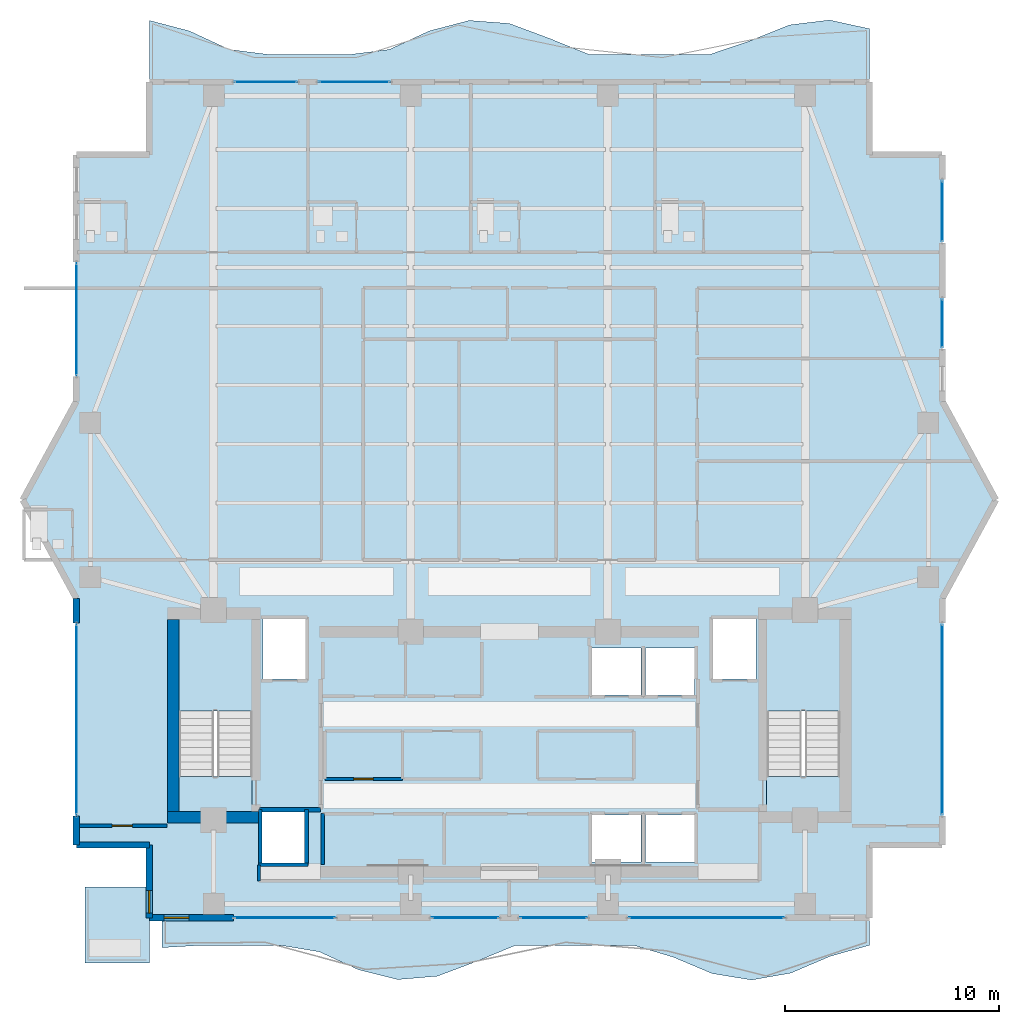
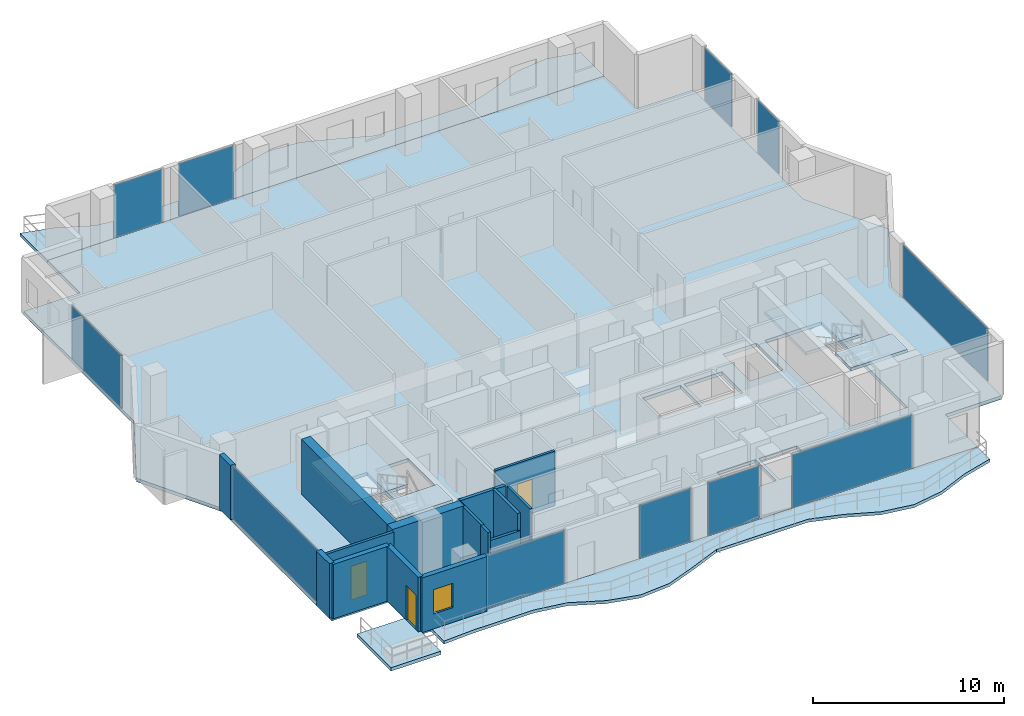
# One storey, part 17 of 24: 15 walls, 11 plates, 8 slabs, 3 doors, 1 window, 4 openings, 13 elements without a shape of their own.
"""IFC4 building model written with IfcOpenShell, lengths in metres."""

import ifcopenshell
import ifcopenshell.guid

model = None  # the IFC model being written
_history = None  # IfcOwnerHistory: only IFC2X3 demands one
_inside = {}  # id of a spatial element -> (the spatial element, [elements in it])
_under = {}  # id of a project, library or spatial element -> (it, [spatial elements below it])
_declared = {}  # id of a project -> (the project, [libraries it declares])
_typed = {}  # id of a type object -> (the type object, [elements of that type])
_made_of = {}  # id of a material, layer set ... -> (it, [elements and type objects made of it])


def new_model(schema):
    """Start an empty IFC model of exactly this schema.

    Asked for "IFC4X3", IfcOpenShell would pick the latest addendum, in which some entities
    have other attributes; the version numbers below select the first issue.
    IFC2X3 requires an IfcOwnerHistory on every rooted entity: one is made here for all.
    """
    global model, _history
    if schema == "IFC4X3":
        model = ifcopenshell.file(schema_version=(4, 3, 0, 0))
    else:
        model = ifcopenshell.file(schema=schema)
    _inside.clear()
    _under.clear()
    _declared.clear()
    _typed.clear()
    _made_of.clear()
    _history = None
    if model.schema == "IFC2X3":
        org = make("IfcOrganization", Name="unknown")
        user = make(
            "IfcPersonAndOrganization",
            ThePerson=make("IfcPerson", FamilyName="unknown"),
            TheOrganization=org,
        )
        app = make(
            "IfcApplication",
            ApplicationDeveloper=org,
            Version="unknown",
            ApplicationFullName="unknown",
            ApplicationIdentifier="unknown",
        )
        _history = make(
            "IfcOwnerHistory",
            OwningUser=user,
            OwningApplication=app,
            ChangeAction="ADDED",
            CreationDate=0,
        )
    return model


def make(cls, **values):
    """One entity of the class cls with the attributes given. An attribute that is None is left unset."""
    return model.create_entity(
        cls, **{name: value for name, value in values.items() if value is not None}
    )


def rooted(cls, **values):
    """An entity with a GlobalId (a new one), such as an element, a storey or a relation."""
    return make(cls, GlobalId=ifcopenshell.guid.new(), OwnerHistory=_history, **values)


def si_unit(unit_type, name, prefix=None):
    """IfcSIUnit, for example si_unit("LENGTHUNIT", "METRE", prefix="MILLI")."""
    return make("IfcSIUnit", UnitType=unit_type, Prefix=prefix, Name=name)


def assignment(units):
    """IfcUnitAssignment: the units of a project."""
    return None if units is None else make("IfcUnitAssignment", Units=units)


def point(xyz):
    """IfcCartesianPoint."""
    return None if xyz is None else make("IfcCartesianPoint", Coordinates=xyz)


def direction(xyz):
    """IfcDirection."""
    return None if xyz is None else make("IfcDirection", DirectionRatios=xyz)


def frame(location, z_axis=None, x_axis=None):
    """IfcAxis2Placement3D, a coordinate frame: its origin and axes. An axis left out is left unset."""
    return make(
        "IfcAxis2Placement3D",
        Location=point(location),
        Axis=direction(z_axis),
        RefDirection=direction(x_axis),
    )


def frame_2d(location, x_axis=None):
    """IfcAxis2Placement2D, a coordinate frame in the plane: its origin and x axis."""
    return make(
        "IfcAxis2Placement2D", Location=point(location), RefDirection=direction(x_axis)
    )


def origin():
    """The frame at (0, 0, 0) with its axes left unset."""
    return frame((0.0, 0.0, 0.0))


def origin_2d():
    """The frame at (0, 0) in the plane with its x axis left unset."""
    return frame_2d((0.0, 0.0))


def place(relative_to, where):
    """IfcLocalPlacement: puts the frame where relative to a parent placement (None: the world)."""
    return make(
        "IfcLocalPlacement", PlacementRelTo=relative_to, RelativePlacement=where
    )


def context(
    kind, dimensions, precision=None, world=None, true_north=None, identifier=None
):
    """IfcGeometricRepresentationContext, for example the 3D "Model" context."""
    return make(
        "IfcGeometricRepresentationContext",
        ContextIdentifier=identifier,
        ContextType=kind,
        CoordinateSpaceDimension=dimensions,
        Precision=precision,
        WorldCoordinateSystem=world,
        TrueNorth=true_north,
    )


def subcontext(parent, identifier, kind, view, scale=None):
    """IfcGeometricRepresentationSubContext, for example "Body" below "Model"."""
    return make(
        "IfcGeometricRepresentationSubContext",
        ContextIdentifier=identifier,
        ContextType=kind,
        ParentContext=parent,
        TargetScale=scale,
        TargetView=view,
    )


def project(units=None, contexts=None):
    """IfcProject with its units and contexts."""
    return rooted(
        "IfcProject",
        Name="project",
        RepresentationContexts=contexts,
        UnitsInContext=assignment(units),
    )


def spatial(cls, under=None, at=None, **own):
    """A site, building, storey or space (cls), placed at a placement, below another one or the project."""
    s = rooted(cls, ObjectPlacement=at, **own)
    if under is not None:
        _under.setdefault(under.id(), (under, []))[1].append(s)
    return s


def polyline(points):
    """IfcPolyline through the points."""
    return make("IfcPolyline", Points=[point(p) for p in points])


def profile(cls, at=None, kind="AREA", **sizes):
    """A parametric profile (cls). Its sizes go by their IFC names, for example OverallWidth=200.0."""
    return make(cls, ProfileType=kind, Position=at, **sizes)


def rectangle(**sizes):
    """IfcRectangleProfileDef."""
    return profile("IfcRectangleProfileDef", **sizes)


def outline(outer, holes=None, kind="AREA"):
    """IfcArbitraryClosedProfileDef: a profile drawn as a closed curve; with holes, ...WithVoids."""
    if holes is None:
        return make("IfcArbitraryClosedProfileDef", ProfileType=kind, OuterCurve=outer)
    return make(
        "IfcArbitraryProfileDefWithVoids",
        ProfileType=kind,
        OuterCurve=outer,
        InnerCurves=holes,
    )


def extrude(swept, where, along, depth):
    """IfcExtrudedAreaSolid: the profile swept, set in the frame where, extruded along a direction by depth."""
    return make(
        "IfcExtrudedAreaSolid",
        SweptArea=swept,
        Position=where,
        ExtrudedDirection=direction(along),
        Depth=depth,
    )


def shape(context_of_items, identifier, shape_type, items):
    """IfcShapeRepresentation: the items that make up one representation, for example the "Body"."""
    return make(
        "IfcShapeRepresentation",
        ContextOfItems=context_of_items,
        RepresentationIdentifier=identifier,
        RepresentationType=shape_type,
        Items=items,
    )


def material(Name=None, Category=None):
    """IfcMaterial."""
    return make("IfcMaterial", Name=Name, Category=Category)


def layer(
    of_material, thickness, ventilated=None, Name=None, Category=None, Priority=None
):
    """IfcMaterialLayer: one layer of a wall or slab, of a material (None: an air gap)."""
    return make(
        "IfcMaterialLayer",
        Material=of_material,
        LayerThickness=thickness,
        IsVentilated=ventilated,
        Name=Name,
        Category=Category,
        Priority=Priority,
    )


def layer_set(layers, Name=None):
    """IfcMaterialLayerSet."""
    return make("IfcMaterialLayerSet", MaterialLayers=layers, LayerSetName=Name)


def made_of(thing, what):
    """Note that an element or type object is made of a material, layer set ...; save() writes the relation."""
    if what is not None:
        _made_of.setdefault(what.id(), (what, []))[1].append(thing)
    return thing


def type_object(cls, material=None, **own):
    """A type object (cls), such as IfcWallType, which elements share."""
    return made_of(rooted(cls, **own), material)


def element(
    cls,
    number,
    at=None,
    inside=None,
    cuts=None,
    type_object=None,
    material=None,
    context=None,
    identifier="Body",
    shape_type=None,
    held_by="IfcProductDefinitionShape",
    body=None,
    shapes=None,
    **own,
):
    """One element of the class cls, such as IfcWall. Its Tag is "e" and its number.

    at: its placement. inside: the storey or other place that contains it. cuts: it is an
    opening in that element (IfcRelVoidsElement). A single representation is given by context,
    identifier, shape_type and body (its items); several are given by shapes. held_by: the class
    of the entity that holds the representations. save() writes the other relations.
    """
    e = rooted(cls, Tag="e%d" % number, ObjectPlacement=at, **own)
    if body is not None:
        shapes = [shape(context, identifier, shape_type, body)]
    if shapes is not None:
        e.Representation = make(held_by, Representations=shapes)
    if inside is not None:
        _inside.setdefault(inside.id(), (inside, []))[1].append(e)
    if cuts is not None:
        rooted(
            "IfcRelVoidsElement", RelatingBuildingElement=cuts, RelatedOpeningElement=e
        )
    if type_object is not None:
        _typed.setdefault(type_object.id(), (type_object, []))[1].append(e)
    return made_of(e, material)


def fill(opening, filler):
    """IfcRelFillsElement: the door or window that sits in an opening."""
    return rooted(
        "IfcRelFillsElement",
        RelatingOpeningElement=opening,
        RelatedBuildingElement=filler,
    )


def aggregate(whole, parts):
    """IfcRelAggregates: a whole, such as a stair, and the parts it consists of."""
    return rooted("IfcRelAggregates", RelatingObject=whole, RelatedObjects=parts)


def save(model, path):
    """Write the relations noted so far, then the file.

    IfcRelAggregates (storeys below a building ...), IfcRelContainedInSpatialStructure (elements
    in a storey), IfcRelDefinesByType, IfcRelAssociatesMaterial and IfcRelDeclares: one each for
    every whole, place, type object, material and project.
    """
    for whole, parts in _under.values():
        aggregate(whole, parts)
    for where, things in _inside.values():
        rooted(
            "IfcRelContainedInSpatialStructure",
            RelatedElements=things,
            RelatingStructure=where,
        )
    for kind, things in _typed.values():
        rooted("IfcRelDefinesByType", RelatedObjects=things, RelatingType=kind)
    for what, things in _made_of.values():
        rooted("IfcRelAssociatesMaterial", RelatedObjects=things, RelatingMaterial=what)
    for by, libraries in _declared.values():
        rooted("IfcRelDeclares", RelatingContext=by, RelatedDefinitions=libraries)
    model.write(path)


model = new_model("IFC4")

# Units and contexts
model_context = context("Model", 3, precision=1e-05, world=origin(), true_north=direction((0.0, 1.0)))
body_context = subcontext(model_context, "Body", "Model", "MODEL_VIEW")
ifc_project = project(units=[si_unit("LENGTHUNIT", "METRE"), si_unit("AREAUNIT", "SQUARE_METRE"), si_unit("VOLUMEUNIT", "CUBIC_METRE"), si_unit("PLANEANGLEUNIT", "RADIAN"), si_unit("MASSUNIT", "GRAM", prefix="KILO")], contexts=[model_context])

# Site, building, storey
site_placement = place(None, origin())
site = spatial("IfcSite", under=ifc_project, at=site_placement, CompositionType="ELEMENT")
building_placement = place(site_placement, origin())
building = spatial("IfcBuilding", under=site, at=building_placement, Name="Zuhayl Quay Hotel", CompositionType="ELEMENT")
storey_placement = place(building_placement, frame((0.0, 0.0, 280.35009765625)))
storey = spatial("IfcBuildingStorey", under=building, at=storey_placement, Name="L71", CompositionType="ELEMENT", Elevation=280.35009765625)

# Curtain wall, plate
ifc_material_1 = material(Name="Anodised Aluminium 6063-T6", Category="aluminium")
ifc_layer_1 = layer(ifc_material_1, 0.169921875, Name="Anodised Aluminium 6063-T6", Category="aluminium")
ifc_layer_set_1 = layer_set([ifc_layer_1], Name="Anodised Aluminium 6063-T6")
curtain_wall_type = type_object("IfcCurtainWallType", Name="CW_SYS_Z4", PredefinedType="USERDEFINED", material=ifc_layer_set_1)
curtain_wall_1_placement = place(storey_placement, origin())
curtain_wall_1 = element("IfcCurtainWall", 1, at=curtain_wall_1_placement, inside=storey, type_object=curtain_wall_type, Name="L71 Curtain Wall ENV_L71_E02_CW1", ObjectType="UNITISED CURTAIN WALL", PredefinedType="USERDEFINED")
ifc_material_2 = material(Name="Dark Ceramic-Fritted Solar Glass", Category="glass")
ifc_layer_2 = layer(ifc_material_2, 0.035888671875, Name="Dark Ceramic-Fritted Solar Glass", Category="glass")
ifc_layer_set_2 = layer_set([ifc_layer_2], Name="Dark Ceramic-Fritted Solar Glass")
plate_type = type_object("IfcPlateType", Name="PN_DARK_FRIT_Z1", PredefinedType="CURTAIN_PANEL", material=ifc_layer_set_2)
plate_1_placement = place(storey_placement, frame((-20.199951171875, 9.25, 0.054931640625), z_axis=(0.0, 0.0, 1.0), x_axis=(0.0, 1.0, 0.0)))
plate_1 = element("IfcPlate", 2, at=plate_1_placement, type_object=plate_type, Name="CW-Z4 panel 1.1", PredefinedType="CURTAIN_PANEL", context=body_context, shape_type="SweptSolid", body=[
    extrude(rectangle(XDim=8.8701171875, YDim=0.035888671875, at=origin_2d()), origin(), (0.0, 0.0, 1.0), 3.3701171875),
])
aggregate(curtain_wall_1, [plate_1])

curtain_wall_2_placement = place(storey_placement, origin())
curtain_wall_2 = element("IfcCurtainWall", 3, at=curtain_wall_2_placement, inside=storey, type_object=curtain_wall_type, Name="L71 Curtain Wall ENV_L71_E05_CW1", ObjectType="UNITISED CURTAIN WALL", PredefinedType="USERDEFINED")
plate_2_placement = place(storey_placement, frame((-20.199951171875, 27.925048828125, 0.054931640625), z_axis=(0.0, 0.0, 1.0), x_axis=(0.0, 1.0, 0.0)))
plate_2 = element("IfcPlate", 4, at=plate_2_placement, type_object=plate_type, Name="CW-Z4 panel 1.1", PredefinedType="CURTAIN_PANEL", context=body_context, shape_type="SweptSolid", body=[
    extrude(rectangle(XDim=5.219970703125, YDim=0.035888671875, at=origin_2d()), origin(), (0.0, 0.0, 1.0), 3.3701171875),
])
aggregate(curtain_wall_2, [plate_2])

curtain_wall_3_placement = place(storey_placement, origin())
curtain_wall_3 = element("IfcCurtainWall", 5, at=curtain_wall_3_placement, inside=storey, type_object=curtain_wall_type, Name="L71 Curtain Wall ENV_L71_N_CW1", ObjectType="UNITISED CURTAIN WALL", PredefinedType="USERDEFINED")
plate_3_placement = place(storey_placement, frame((-11.364990234375, 39.0, 0.054931640625), z_axis=(0.0, 0.0, 1.0), x_axis=(1.0, 0.0, 0.0)))
plate_3 = element("IfcPlate", 6, at=plate_3_placement, type_object=plate_type, Name="CW-Z4 panel 1.1", PredefinedType="CURTAIN_PANEL", context=body_context, shape_type="SweptSolid", body=[
    extrude(rectangle(XDim=2.89990234375, YDim=0.035888671875, at=origin_2d()), origin(), (0.0, 0.0, 1.0), 3.3701171875),
])
aggregate(curtain_wall_3, [plate_3])

curtain_wall_4_placement = place(storey_placement, origin())
curtain_wall_4 = element("IfcCurtainWall", 7, at=curtain_wall_4_placement, inside=storey, type_object=curtain_wall_type, Name="L71 Curtain Wall ENV_L71_N_CW2", ObjectType="UNITISED CURTAIN WALL", PredefinedType="USERDEFINED")
plate_4_placement = place(storey_placement, frame((-7.235107421875, 39.0, 0.054931640625), z_axis=(0.0, 0.0, 1.0), x_axis=(1.0, 0.0, 0.0)))
plate_4 = element("IfcPlate", 8, at=plate_4_placement, type_object=plate_type, Name="CW-Z4 panel 1.1", PredefinedType="CURTAIN_PANEL", context=body_context, shape_type="SweptSolid", body=[
    extrude(rectangle(XDim=3.300048828125, YDim=0.035888671875, at=origin_2d()), origin(), (0.0, 0.0, 1.0), 3.3701171875),
])
aggregate(curtain_wall_4, [plate_4])

curtain_wall_5_placement = place(storey_placement, origin())
curtain_wall_5 = element("IfcCurtainWall", 9, at=curtain_wall_5_placement, inside=storey, type_object=curtain_wall_type, Name="L71 Curtain Wall ENV_L71_E11_CW1", ObjectType="UNITISED CURTAIN WALL", PredefinedType="USERDEFINED")
plate_5_placement = place(storey_placement, frame((20.199951171875, 32.97509765625, 0.054931640625), z_axis=(0.0, 0.0, 1.0), x_axis=(0.0, -1.0, 0.0)))
plate_5 = element("IfcPlate", 10, at=plate_5_placement, type_object=plate_type, Name="CW-Z4 panel 1.1", PredefinedType="CURTAIN_PANEL", context=body_context, shape_type="SweptSolid", body=[
    extrude(rectangle(XDim=2.820068359375, YDim=0.035888671875, at=origin_2d()), origin(), (0.0, 0.0, 1.0), 3.3701171875),
])
aggregate(curtain_wall_5, [plate_5])

curtain_wall_6_placement = place(storey_placement, origin())
curtain_wall_6 = element("IfcCurtainWall", 11, at=curtain_wall_6_placement, inside=storey, type_object=curtain_wall_type, Name="L71 Curtain Wall ENV_L71_E11_CW2", ObjectType="UNITISED CURTAIN WALL", PredefinedType="USERDEFINED")
plate_6_placement = place(storey_placement, frame((20.199951171875, 27.739990234375, 0.054931640625), z_axis=(0.0, 0.0, 1.0), x_axis=(0.0, -1.0, 0.0)))
plate_6 = element("IfcPlate", 12, at=plate_6_placement, type_object=plate_type, Name="CW-Z4 panel 1.1", PredefinedType="CURTAIN_PANEL", context=body_context, shape_type="SweptSolid", body=[
    extrude(rectangle(XDim=2.25, YDim=0.035888671875, at=origin_2d()), origin(), (0.0, 0.0, 1.0), 3.3701171875),
])
aggregate(curtain_wall_6, [plate_6])

curtain_wall_7_placement = place(storey_placement, origin())
curtain_wall_7 = element("IfcCurtainWall", 13, at=curtain_wall_7_placement, inside=storey, type_object=curtain_wall_type, Name="L71 Curtain Wall ENV_L71_E14_CW1", ObjectType="UNITISED CURTAIN WALL", PredefinedType="USERDEFINED")
plate_7_placement = place(storey_placement, frame((20.199951171875, 9.25, 0.054931640625), z_axis=(0.0, 0.0, 1.0), x_axis=(0.0, -1.0, 0.0)))
plate_7 = element("IfcPlate", 14, at=plate_7_placement, type_object=plate_type, Name="CW-Z4 panel 1.1", PredefinedType="CURTAIN_PANEL", context=body_context, shape_type="SweptSolid", body=[
    extrude(rectangle(XDim=8.8701171875, YDim=0.035888671875, at=origin_2d()), origin(), (0.0, 0.0, 1.0), 3.3701171875),
])
aggregate(curtain_wall_7, [plate_7])

curtain_wall_8_placement = place(storey_placement, origin())
curtain_wall_8 = element("IfcCurtainWall", 15, at=curtain_wall_8_placement, inside=storey, type_object=curtain_wall_type, Name="L71 Curtain Wall ENV_L71_S_CW1", ObjectType="UNITISED CURTAIN WALL", PredefinedType="USERDEFINED")
plate_8_placement = place(storey_placement, frame((9.199951171875, 0.0, 0.054931640625), z_axis=(0.0, 0.0, 1.0), x_axis=(-1.0, 0.0, 0.0)))
plate_8 = element("IfcPlate", 16, at=plate_8_placement, type_object=plate_type, Name="CW-Z4 panel 1.1", PredefinedType="CURTAIN_PANEL", context=body_context, shape_type="SweptSolid", body=[
    extrude(rectangle(XDim=7.22998046875, YDim=0.035888671875, at=origin_2d()), origin(), (0.0, 0.0, 1.0), 3.3701171875),
])
aggregate(curtain_wall_8, [plate_8])

curtain_wall_9_placement = place(storey_placement, origin())
curtain_wall_9 = element("IfcCurtainWall", 17, at=curtain_wall_9_placement, inside=storey, type_object=curtain_wall_type, Name="L71 Curtain Wall ENV_L71_S_CW2", ObjectType="UNITISED CURTAIN WALL", PredefinedType="USERDEFINED")
plate_9_placement = place(storey_placement, frame((2.06494140625, 0.0, 0.054931640625), z_axis=(0.0, 0.0, 1.0), x_axis=(-1.0, 0.0, 0.0)))
plate_9 = element("IfcPlate", 18, at=plate_9_placement, type_object=plate_type, Name="CW-Z4 panel 1.1", PredefinedType="CURTAIN_PANEL", context=body_context, shape_type="SweptSolid", body=[
    extrude(rectangle(XDim=3.10009765625, YDim=0.035888671875, at=origin_2d()), origin(), (0.0, 0.0, 1.0), 3.3701171875),
])
aggregate(curtain_wall_9, [plate_9])

curtain_wall_10_placement = place(storey_placement, origin())
curtain_wall_10 = element("IfcCurtainWall", 19, at=curtain_wall_10_placement, inside=storey, type_object=curtain_wall_type, Name="L71 Curtain Wall ENV_L71_S_CW3", ObjectType="UNITISED CURTAIN WALL", PredefinedType="USERDEFINED")
plate_10_placement = place(storey_placement, frame((-2.06494140625, 0.0, 0.054931640625), z_axis=(0.0, 0.0, 1.0), x_axis=(-1.0, 0.0, 0.0)))
plate_10 = element("IfcPlate", 20, at=plate_10_placement, type_object=plate_type, Name="CW-Z4 panel 1.1", PredefinedType="CURTAIN_PANEL", context=body_context, shape_type="SweptSolid", body=[
    extrude(rectangle(XDim=3.10009765625, YDim=0.035888671875, at=origin_2d()), origin(), (0.0, 0.0, 1.0), 3.3701171875),
])
aggregate(curtain_wall_10, [plate_10])

curtain_wall_11_placement = place(storey_placement, origin())
curtain_wall_11 = element("IfcCurtainWall", 21, at=curtain_wall_11_placement, inside=storey, type_object=curtain_wall_type, Name="L71 Curtain Wall ENV_L71_S_CW4", ObjectType="UNITISED CURTAIN WALL", PredefinedType="USERDEFINED")
plate_11_placement = place(storey_placement, frame((-10.4775390625, 0.0, 0.054931640625), z_axis=(0.0, 0.0, 1.0), x_axis=(-1.0, 0.0, 0.0)))
plate_11 = element("IfcPlate", 22, at=plate_11_placement, type_object=plate_type, Name="CW-Z4 panel 1.1", PredefinedType="CURTAIN_PANEL", context=body_context, shape_type="SweptSolid", body=[
    extrude(rectangle(XDim=4.675048828125, YDim=0.035888671875, at=origin_2d()), origin(), (0.0, 0.0, 1.0), 3.3701171875),
])
aggregate(curtain_wall_11, [plate_11])

# Slabs
ifc_material_3 = material(Name="Concrete C45/55", Category="concrete")
ifc_layer_3 = layer(ifc_material_3, 0.195068359375, Name="Concrete C45/55", Category="concrete")
ifc_layer_set_3 = layer_set([ifc_layer_3], Name="Concrete C45/55")
slab_type_1 = type_object("IfcSlabType", Name="SL_BALCONY_195", PredefinedType="FLOOR", material=ifc_layer_set_3)
slab_1_placement = place(storey_placement, frame((0.0, 0.0, -0.195068359375)))
element("IfcSlab", 23, at=slab_1_placement, inside=storey, type_object=slab_type_1, Name="L71 Exterior Rippling Balcony Slab North", PredefinedType="FLOOR", context=body_context, shape_type="SweptSolid", body=[
    extrude(outline(polyline([(-16.800048828125, 39.0), (16.800048828125, 39.0), (16.800048828125, 41.486328125), (14.933349609375, 41.893310546875), (13.066650390625, 41.661376953125), (11.199951171875, 40.909912109375), (9.333251953125, 40.280029296875), (7.466796875, 40.280029296875), (5.60009765625, 40.280029296875), (3.7333984375, 40.280029296875), (1.86669921875, 41.036376953125), (0.0, 41.732421875), (-1.86669921875, 41.872802734375), (-3.7333984375, 41.384765625), (-5.60009765625, 40.519287109375), (-7.466796875, 40.280029296875), (-9.333251953125, 40.280029296875), (-11.199951171875, 40.280029296875), (-13.066650390625, 40.519287109375), (-14.933349609375, 41.384765625), (-16.800048828125, 41.872802734375), (-16.800048828125, 39.0)])), origin(), (0.0, 0.0, 1.0), 0.195068359375),
])
slab_2_placement = place(storey_placement, frame((0.0, 0.0, -0.195068359375)))
element("IfcSlab", 24, at=slab_2_placement, inside=storey, type_object=slab_type_1, Name="L71 Exterior Rippling Balcony Slab South", PredefinedType="FLOOR", context=body_context, shape_type="SweptSolid", body=[
    extrude(outline(polyline([(-16.199951171875, -1.39013671875), (-14.36669921875, -1.280029296875), (-12.533203125, -1.280029296875), (-10.699951171875, -1.280029296875), (-8.86669921875, -1.584716796875), (-7.033203125, -2.423828125), (-5.199951171875, -2.879150390625), (-3.36669921875, -2.724365234375), (-1.533203125, -2.036376953125), (0.300048828125, -1.280029296875), (2.13330078125, -1.280029296875), (3.966796875, -1.280029296875), (5.800048828125, -1.280029296875), (7.63330078125, -1.829345703125), (9.466796875, -2.6005859375), (11.300048828125, -2.89990234375), (13.13330078125, -2.578857421875), (14.966796875, -1.796875), (16.800048828125, -1.280029296875), (16.800048828125, 0.0), (-16.199951171875, 0.0), (-16.199951171875, -1.39013671875)])), origin(), (0.0, 0.0, 1.0), 0.195068359375),
])
ifc_layer_4 = layer(ifc_material_3, 0.219970703125, Name="Concrete C45/55", Category="concrete")
ifc_layer_set_4 = layer_set([ifc_layer_4], Name="Concrete C45/55")
slab_type_2 = type_object("IfcSlabType", Name="SL_FLOOR_220", PredefinedType="FLOOR", material=ifc_layer_set_4)
slab_3_placement = place(storey_placement, frame((0.0, 0.0, -0.22021484375)))
element("IfcSlab", 25, at=slab_3_placement, inside=storey, type_object=slab_type_2, Name="L71 Structural Floor Slab", PredefinedType="FLOOR", context=body_context, shape_type="SweptSolid", body=[
    extrude(outline(polyline([(-16.800048828125, 0.0), (16.800048828125, 0.0), (16.800048828125, 3.39990234375), (20.199951171875, 3.39990234375), (20.199951171875, 14.89990234375), (22.699951171875, 19.5), (20.199951171875, 24.10009765625), (20.199951171875, 35.60009765625), (16.800048828125, 35.60009765625), (16.800048828125, 39.0), (-16.800048828125, 39.0), (-16.800048828125, 35.60009765625), (-20.199951171875, 35.60009765625), (-20.199951171875, 24.10009765625), (-22.699951171875, 19.5), (-20.199951171875, 14.89990234375), (-20.199951171875, 3.39990234375), (-16.800048828125, 3.39990234375), (-16.800048828125, 0.0)]), holes=[polyline([(-12.0, 4.949951171875), (-12.0, 13.949951171875), (-15.429931640625, 13.949951171875), (-15.429931640625, 4.949951171875), (-12.0, 4.949951171875)]), polyline([(15.429931640625, 4.949951171875), (15.429931640625, 13.949951171875), (12.0, 13.949951171875), (12.0, 4.949951171875), (15.429931640625, 4.949951171875)]), polyline([(-11.5, 11.14990234375), (-9.5, 11.14990234375), (-9.5, 13.949951171875), (-11.5, 13.949951171875), (-11.5, 11.14990234375)]), polyline([(9.5, 11.14990234375), (11.5, 11.14990234375), (11.5, 13.949951171875), (9.5, 13.949951171875), (9.5, 11.14990234375)]), polyline([(3.85009765625, 2.60009765625), (6.14990234375, 2.60009765625), (6.14990234375, 4.800048828125), (3.85009765625, 4.800048828125), (3.85009765625, 2.60009765625)]), polyline([(6.35009765625, 2.60009765625), (8.64990234375, 2.60009765625), (8.64990234375, 4.800048828125), (6.35009765625, 4.800048828125), (6.35009765625, 2.60009765625)]), polyline([(3.85009765625, 10.39990234375), (6.14990234375, 10.39990234375), (6.14990234375, 12.60009765625), (3.85009765625, 12.60009765625), (3.85009765625, 10.39990234375)]), polyline([(6.35009765625, 10.39990234375), (8.64990234375, 10.39990234375), (8.64990234375, 12.60009765625), (6.35009765625, 12.60009765625), (6.35009765625, 10.39990234375)]), polyline([(-11.550048828125, 2.550048828125), (-9.550048828125, 2.550048828125), (-9.550048828125, 4.949951171875), (-11.550048828125, 4.949951171875), (-11.550048828125, 2.550048828125)])]), origin(), (0.0, 0.0, 1.0), 0.22021484375),
])

# Stair, slabs
stair_type = type_object("IfcStairType", Name="ST_DOGLEG_TOWER", PredefinedType="HALF_TURN_STAIR", material=ifc_material_3)
stair_1_placement = place(storey_placement, origin())
stair_1 = element("IfcStair", 26, at=stair_1_placement, inside=storey, type_object=stair_type, Name="L71 Smokeproof Exit Stair ST1", PredefinedType="HALF_TURN_STAIR")
ifc_layer_5 = layer(ifc_material_3, 0.199951171875, Name="Concrete C45/55", Category="concrete")
ifc_layer_set_5 = layer_set([ifc_layer_5], Name="Concrete C45/55")
slab_type_3 = type_object("IfcSlabType", Name="SL_STAIR_LANDING_200", PredefinedType="LANDING", material=ifc_layer_set_5)
slab_4_placement = place(storey_placement, frame((0.0, 0.0, 1.64990234375)))
slab_4 = element("IfcSlab", 27, at=slab_4_placement, type_object=slab_type_3, Name="ST1 landing 1", PredefinedType="LANDING", context=body_context, shape_type="SweptSolid", body=[
    extrude(outline(polyline([(-12.0, 9.64990234375), (-12.0, 13.949951171875), (-15.429931640625, 13.949951171875), (-15.429931640625, 9.64990234375), (-12.0, 9.64990234375)])), origin(), (0.0, 0.0, 1.0), 0.199951171875),
])
slab_5_placement = place(storey_placement, frame((0.0, 0.0, 3.5)))
slab_5 = element("IfcSlab", 28, at=slab_5_placement, type_object=slab_type_3, Name="ST1 landing 2", PredefinedType="LANDING", context=body_context, shape_type="SweptSolid", body=[
    extrude(outline(polyline([(-12.0, 4.949951171875), (-12.0, 6.590087890625), (-15.429931640625, 6.590087890625), (-15.429931640625, 4.949951171875), (-12.0, 4.949951171875)])), origin(), (0.0, 0.0, 1.0), 0.199951171875),
])
aggregate(stair_1, [slab_4, slab_5])

stair_2_placement = place(storey_placement, origin())
stair_2 = element("IfcStair", 29, at=stair_2_placement, inside=storey, type_object=stair_type, Name="L71 Smokeproof Exit Stair ST2", PredefinedType="HALF_TURN_STAIR")
slab_6_placement = place(storey_placement, frame((0.0, 0.0, 1.64990234375)))
slab_6 = element("IfcSlab", 30, at=slab_6_placement, type_object=slab_type_3, Name="ST2 landing 1", PredefinedType="LANDING", context=body_context, shape_type="SweptSolid", body=[
    extrude(outline(polyline([(15.429931640625, 9.64990234375), (15.429931640625, 13.949951171875), (12.0, 13.949951171875), (12.0, 9.64990234375), (15.429931640625, 9.64990234375)])), origin(), (0.0, 0.0, 1.0), 0.199951171875),
])
slab_7_placement = place(storey_placement, frame((0.0, 0.0, 3.5)))
slab_7 = element("IfcSlab", 31, at=slab_7_placement, type_object=slab_type_3, Name="ST2 landing 2", PredefinedType="LANDING", context=body_context, shape_type="SweptSolid", body=[
    extrude(outline(polyline([(15.429931640625, 4.949951171875), (15.429931640625, 6.590087890625), (12.0, 6.590087890625), (12.0, 4.949951171875), (15.429931640625, 4.949951171875)])), origin(), (0.0, 0.0, 1.0), 0.199951171875),
])
aggregate(stair_2, [slab_6, slab_7])

# Slab
ifc_layer_6 = layer(ifc_material_3, 0.219970703125, Name="Concrete C45/55", Category="concrete")
ifc_layer_set_6 = layer_set([ifc_layer_6], Name="Concrete C45/55")
slab_type_4 = type_object("IfcSlabType", Name="SL_TERRACE_235", PredefinedType="FLOOR", material=ifc_layer_set_6)
slab_8_placement = place(storey_placement, frame((0.0, 0.0, -0.22021484375)))
element("IfcSlab", 32, at=slab_8_placement, inside=storey, type_object=slab_type_4, Name="L71 Exterior Sky-Terrace Slab L71_SPIRAL_SW", PredefinedType="FLOOR", context=body_context, shape_type="SweptSolid", body=[
    extrude(outline(polyline([(-19.800048828125, -2.10009765625), (-16.800048828125, -2.10009765625), (-16.800048828125, 1.449951171875), (-19.800048828125, 1.449951171875), (-19.800048828125, -2.10009765625)])), origin(), (0.0, 0.0, 1.0), 0.22021484375),
])

# Walls
ifc_material_4 = material(Name="Concrete C50/60", Category="concrete")
ifc_layer_7 = layer(ifc_material_4, 0.550048828125, Name="Concrete C50/60", Category="concrete")
ifc_layer_set_7 = layer_set([ifc_layer_7], Name="Concrete C50/60")
wall_type_1 = type_object("IfcWallType", Name="WL_CORE_550", PredefinedType="SHEAR", material=ifc_layer_set_7)
wall_1_placement = place(storey_placement, frame((-15.68505859375, 4.969970703125, 0.0), z_axis=(0.0, 0.0, 1.0), x_axis=(0.0, 1.0, 0.0)))
element("IfcWall", 33, at=wall_1_placement, inside=storey, type_object=wall_type_1, Name="L71 Core Shear Wall CW_W", PredefinedType="SHEAR", context=body_context, shape_type="SweptSolid", body=[
    extrude(rectangle(XDim=8.9599609375, YDim=0.550048828125, at=frame_2d((4.47998046875, 0.0))), origin(), (0.0, 0.0, 1.0), 3.510009765625),
])
wall_2_placement = place(storey_placement, frame((-15.9599609375, 4.695068359375, 0.0), z_axis=(0.0, 0.0, 1.0), x_axis=(1.0, 0.0, 0.0)))
element("IfcWall", 34, at=wall_2_placement, inside=storey, type_object=wall_type_1, Name="L71 Core Shear Wall CW_SW", PredefinedType="SHEAR", context=body_context, shape_type="SweptSolid", body=[
    extrude(rectangle(XDim=4.35986328125, YDim=0.550048828125, at=frame_2d((2.179931640625, 0.0))), origin(), (0.0, 0.0, 1.0), 3.510009765625),
])
ifc_material_5 = material(Name="Precast concrete C45/55", Category="concrete")
ifc_layer_8 = layer(ifc_material_5, 0.300048828125, Name="Precast concrete C45/55", Category="concrete")
ifc_layer_set_8 = layer_set([ifc_layer_8], Name="Precast concrete C45/55")
wall_type_2 = type_object("IfcWallType", Name="WL_EXT_300", PredefinedType="STANDARD", material=ifc_layer_set_8)
wall_3_placement = place(storey_placement, frame((-16.800048828125, 3.39990234375, 0.0), z_axis=(0.0, 0.0, 1.0), x_axis=(-1.0, 0.0, 0.0)))
element("IfcWall", 35, at=wall_3_placement, inside=storey, type_object=wall_type_2, Name="L71 Exterior Precast Wall ENV_L71_EW01", PredefinedType="STANDARD", context=body_context, shape_type="SweptSolid", body=[
    extrude(rectangle(XDim=3.39990234375, YDim=0.300048828125, at=frame_2d((1.699951171875, 0.0))), origin(), (0.0, 0.0, 1.0), 3.47998046875),
])
wall_4_placement = place(storey_placement, frame((-20.199951171875, 3.39990234375, 0.0), z_axis=(0.0, 0.0, 1.0), x_axis=(0.0, 1.0, 0.0)))
element("IfcWall", 36, at=wall_4_placement, inside=storey, type_object=wall_type_2, Name="L71 Exterior Precast Wall ENV_L71_E02_EW1", PredefinedType="STANDARD", context=body_context, shape_type="SweptSolid", body=[
    extrude(rectangle(XDim=1.35009765625, YDim=0.300048828125, at=frame_2d((0.675048828125, 0.0))), origin(), (0.0, 0.0, 1.0), 3.47998046875),
])
wall_5_placement = place(storey_placement, frame((-20.199951171875, 13.75, 0.0), z_axis=(0.0, 0.0, 1.0), x_axis=(0.0, 1.0, 0.0)))
element("IfcWall", 37, at=wall_5_placement, inside=storey, type_object=wall_type_2, Name="L71 Exterior Precast Wall ENV_L71_E02_EW2", PredefinedType="STANDARD", context=body_context, shape_type="SweptSolid", body=[
    extrude(rectangle(XDim=1.14990234375, YDim=0.300048828125, at=frame_2d((0.574951171875, 0.0))), origin(), (0.0, 0.0, 1.0), 3.47998046875),
])

# Wall, opening, window
wall_6_placement = place(storey_placement, frame((-12.8798828125, 0.0, 0.0), z_axis=(0.0, 0.0, 1.0), x_axis=(-1.0, 0.0, 0.0)))
wall_6 = element("IfcWall", 38, at=wall_6_placement, inside=storey, type_object=wall_type_2, Name="L71 Exterior Precast Wall ENV_L71_S_EW5", PredefinedType="STANDARD", context=body_context, shape_type="SweptSolid", body=[
    extrude(rectangle(XDim=3.920166015625, YDim=0.300048828125, at=frame_2d((1.9599609375, 0.0))), origin(), (0.0, 0.0, 1.0), 3.47998046875),
])
opening_1_placement = place(wall_6_placement, frame((2.074951171875, 0.0, 0.949951171875)))
opening_1 = element("IfcOpeningElement", 39, at=opening_1_placement, cuts=wall_6, Name="Opening W01N", PredefinedType="OPENING", context=body_context, shape_type="SweptSolid", body=[
    extrude(rectangle(XDim=1.14990234375, YDim=1.550048828125, at=frame_2d((0.574951171875, 0.77490234375))), frame((0.0, 0.159912109375, 0.0), z_axis=(0.0, -1.0, 0.0), x_axis=(1.0, 0.0, 0.0)), (0.0, 0.0, 1.0), 0.320068359375),
])
window_type = type_object("IfcWindowType", Name="WN_NOTCH_1350", PartitioningType="SINGLE_PANEL", PredefinedType="WINDOW", material=ifc_material_2)
window_placement = place(opening_1_placement, origin())
window = element("IfcWindow", 40, at=window_placement, inside=storey, type_object=window_type, Name="L71 Operable Facade Window 5-1", OverallHeight=1.550048828125, OverallWidth=1.14990234375, PartitioningType="SINGLE_PANEL", PredefinedType="WINDOW", context=body_context, shape_type="SweptSolid", body=[
    extrude(rectangle(XDim=1.14990234375, YDim=1.550048828125, at=frame_2d((0.574951171875, 0.77490234375))), frame((0.0, 0.030029296875, 0.0), z_axis=(0.0, -1.0, 0.0), x_axis=(1.0, 0.0, 0.0)), (0.0, 0.0, 1.0), 0.06005859375),
])
fill(opening_1, window)

# Wall, opening, door
wall_7_placement = place(storey_placement, frame((-16.800048828125, 0.0, 0.0), z_axis=(0.0, 0.0, 1.0), x_axis=(0.0, 1.0, 0.0)))
wall_7 = element("IfcWall", 41, at=wall_7_placement, inside=storey, type_object=wall_type_2, Name="L71 Exterior Precast Wall ENV_L71_SP_SW", PredefinedType="STANDARD", context=body_context, shape_type="SweptSolid", body=[
    extrude(rectangle(XDim=3.39990234375, YDim=0.300048828125, at=frame_2d((1.699951171875, 0.0))), origin(), (0.0, 0.0, 1.0), 3.47998046875),
])
opening_2_placement = place(wall_7_placement, frame((0.219970703125, 0.0, 0.0)))
opening_2 = element("IfcOpeningElement", 42, at=opening_2_placement, cuts=wall_7, Name="Opening DG1", PredefinedType="OPENING", context=body_context, shape_type="SweptSolid", body=[
    extrude(rectangle(XDim=1.050048828125, YDim=2.199951171875, at=frame_2d((0.52490234375, 1.10009765625))), frame((0.0, 0.159912109375, 0.0), z_axis=(0.0, -1.0, 0.0), x_axis=(1.0, 0.0, 0.0)), (0.0, 0.0, 1.0), 0.320068359375),
])
ifc_material_6 = material(Name="Anodised Aluminium and Dark Solar Glass", Category="aluminium")
door_type_1 = type_object("IfcDoorType", Name="DR_EXT_TERR_1050", OperationType="NOTDEFINED", PredefinedType="DOOR", material=ifc_material_6)
door_1_placement = place(opening_2_placement, origin())
door_1 = element("IfcDoor", 43, at=door_1_placement, inside=storey, type_object=door_type_1, Name="L71 Spiral Sky-Terrace SW Access Door", OperationType="SINGLE_SWING_LEFT", OverallHeight=2.199951171875, OverallWidth=1.050048828125, PredefinedType="DOOR", context=body_context, shape_type="SweptSolid", body=[
    extrude(rectangle(XDim=1.050048828125, YDim=2.199951171875, at=frame_2d((0.52490234375, 1.10009765625))), frame((0.0, 0.02490234375, 0.0), z_axis=(0.0, -1.0, 0.0), x_axis=(1.0, 0.0, 0.0)), (0.0, 0.0, 1.0), 0.050048828125),
])
fill(opening_2, door_1)

ifc_material_7 = material(Name="Acoustic Gypsum Partition STC-58")
ifc_layer_9 = layer(ifc_material_7, 0.14990234375, Name="Acoustic Gypsum Partition STC-58")
ifc_layer_set_9 = layer_set([ifc_layer_9], Name="Acoustic Gypsum Partition STC-58")
wall_type_3 = type_object("IfcWallType", Name="WL_PART_150", PredefinedType="PARTITIONING", material=ifc_layer_set_9)
wall_8_placement = place(storey_placement, frame((-8.610107421875, 6.47998046875, 0.0), z_axis=(0.0, 0.0, 1.0), x_axis=(1.0, 0.0, 0.0)))
wall_8 = element("IfcWall", 44, at=wall_8_placement, inside=storey, type_object=wall_type_3, Name="L71 Partition IW_L71_CORE_SW_S", PredefinedType="PARTITIONING", context=body_context, shape_type="SweptSolid", body=[
    extrude(rectangle(XDim=3.6201171875, YDim=0.14990234375, at=frame_2d((1.81005859375, 0.0))), origin(), (0.0, 0.0, 1.0), 3.47998046875),
])
opening_3_placement = place(wall_8_placement, frame((1.360107421875, 0.0, 0.0)))
opening_3 = element("IfcOpeningElement", 45, at=opening_3_placement, cuts=wall_8, Name="Opening D06", PredefinedType="OPENING", context=body_context, shape_type="SweptSolid", body=[
    extrude(rectangle(XDim=0.89990234375, YDim=2.14990234375, at=frame_2d((0.449951171875, 1.074951171875))), frame((0.0, 0.0849609375, 0.0), z_axis=(0.0, -1.0, 0.0), x_axis=(1.0, 0.0, 0.0)), (0.0, 0.0, 1.0), 0.169921875),
])
ifc_material_8 = material(Name="Steel ASTM A992 Grade 50", Category="steel")
door_type_2 = type_object("IfcDoorType", Name="DR_INT_900", OperationType="NOTDEFINED", PredefinedType="DOOR", material=ifc_material_8)
door_2_placement = place(opening_3_placement, origin())
door_2 = element("IfcDoor", 46, at=door_2_placement, inside=storey, type_object=door_type_2, Name="L71 Floor Switchgear Closet Door", OperationType="SINGLE_SWING_RIGHT", OverallHeight=2.14990234375, OverallWidth=0.89990234375, PredefinedType="DOOR", context=body_context, shape_type="SweptSolid", body=[
    extrude(rectangle(XDim=0.89990234375, YDim=2.14990234375, at=frame_2d((0.449951171875, 1.074951171875))), frame((0.0, 0.02490234375, 0.0), z_axis=(0.0, -1.0, 0.0), x_axis=(1.0, 0.0, 0.0)), (0.0, 0.0, 1.0), 0.050048828125),
])
fill(opening_3, door_2)

# Walls
wall_9_placement = place(storey_placement, frame((-8.7099609375, 2.489990234375, 0.0), z_axis=(0.0, 0.0, 1.0), x_axis=(0.0, 1.0, 0.0)))
element("IfcWall", 47, at=wall_9_placement, inside=storey, type_object=wall_type_3, Name="L71 Partition IW_L71_FMP_SW_W", PredefinedType="PARTITIONING", context=body_context, shape_type="SweptSolid", body=[
    extrude(rectangle(XDim=2.3701171875, YDim=0.14990234375, at=frame_2d((1.18505859375, 0.0))), origin(), (0.0, 0.0, 1.0), 3.47998046875),
])
wall_10_placement = place(storey_placement, frame((-11.679931640625, 1.719970703125, 0.0), z_axis=(0.0, 0.0, 1.0), x_axis=(0.0, 1.0, 0.0)))
element("IfcWall", 48, at=wall_10_placement, inside=storey, type_object=wall_type_3, Name="L71 Partition IW_L71_Z4_SUN_SW_IN", PredefinedType="PARTITIONING", context=body_context, shape_type="SweptSolid", body=[
    extrude(rectangle(XDim=0.75, YDim=0.14990234375, at=frame_2d((0.375, 0.0))), origin(), (0.0, 0.0, 1.0), 3.47998046875),
])

# Wall, opening, door
ifc_layer_10 = layer(ifc_material_7, 0.159912109375, Name="Acoustic Gypsum Partition STC-58")
ifc_layer_set_10 = layer_set([ifc_layer_10], Name="Acoustic Gypsum Partition STC-58")
wall_type_4 = type_object("IfcWallType", Name="WL_PART_CORR_160", PredefinedType="PARTITIONING", material=ifc_layer_set_10)
wall_11_placement = place(storey_placement, frame((-20.139892578125, 4.300048828125, 0.0), z_axis=(0.0, 0.0, 1.0), x_axis=(1.0, 0.0, 0.0)))
wall_11 = element("IfcWall", 49, at=wall_11_placement, inside=storey, type_object=wall_type_4, Name="L71 Partition IW_L71_Z4_SUN_SW_N", PredefinedType="PARTITIONING", context=body_context, shape_type="SweptSolid", body=[
    extrude(rectangle(XDim=4.159912109375, YDim=0.159912109375, at=frame_2d((2.080078125, 0.0))), origin(), (0.0, 0.0, 1.0), 3.47998046875),
])
opening_4_placement = place(wall_11_placement, frame((1.60498046875, 0.0, 0.0)))
opening_4 = element("IfcOpeningElement", 50, at=opening_4_placement, cuts=wall_11, Name="Opening D03", PredefinedType="OPENING", context=body_context, shape_type="SweptSolid", body=[
    extrude(rectangle(XDim=0.949951171875, YDim=2.14990234375, at=frame_2d((0.47509765625, 1.074951171875))), frame((0.0, 0.08984375, 0.0), z_axis=(0.0, -1.0, 0.0), x_axis=(1.0, 0.0, 0.0)), (0.0, 0.0, 1.0), 0.179931640625),
])
ifc_material_9 = material(Name="Solid Walnut Acoustic Fire Door")
door_type_3 = type_object("IfcDoorType", Name="DR_SUITE_950", OperationType="NOTDEFINED", PredefinedType="DOOR", material=ifc_material_9)
door_3_placement = place(opening_4_placement, origin())
door_3 = element("IfcDoor", 51, at=door_3_placement, inside=storey, type_object=door_type_3, Name="L71 Sunset Salon SW Door", OperationType="SINGLE_SWING_LEFT", OverallHeight=2.14990234375, OverallWidth=0.949951171875, PredefinedType="DOOR", context=body_context, shape_type="SweptSolid", body=[
    extrude(rectangle(XDim=0.949951171875, YDim=2.14990234375, at=frame_2d((0.47509765625, 1.074951171875))), frame((0.0, 0.02490234375, 0.0), z_axis=(0.0, -1.0, 0.0), x_axis=(1.0, 0.0, 0.0)), (0.0, 0.0, 1.0), 0.050048828125),
])
fill(opening_4, door_3)

# Walls
ifc_material_10 = material(Name="Gypsum Fireboard Assembly EI-90")
ifc_layer_11 = layer(ifc_material_10, 0.1650390625, Name="Gypsum Fireboard Assembly EI-90")
ifc_layer_set_11 = layer_set([ifc_layer_11], Name="Gypsum Fireboard Assembly EI-90")
wall_type_5 = type_object("IfcWallType", Name="WL_PART_SHAFT_160", PredefinedType="PARTITIONING", material=ifc_layer_set_11)
wall_12_placement = place(storey_placement, frame((-11.6298828125, 2.469970703125, 0.0), z_axis=(0.0, 0.0, 1.0), x_axis=(0.0, 1.0, 0.0)))
element("IfcWall", 52, at=wall_12_placement, inside=storey, type_object=wall_type_5, Name="L71 Partition IW_L71_RISER_W", PredefinedType="PARTITIONING", context=body_context, shape_type="SweptSolid", body=[
    extrude(rectangle(XDim=2.580078125, YDim=0.1650390625, at=frame_2d((1.2900390625, 0.0))), origin(), (0.0, 0.0, 1.0), 3.47998046875),
])
wall_13_placement = place(storey_placement, frame((-11.7099609375, 2.469970703125, 0.0), z_axis=(0.0, 0.0, 1.0), x_axis=(1.0, 0.0, 0.0)))
element("IfcWall", 53, at=wall_13_placement, inside=storey, type_object=wall_type_5, Name="L71 Partition IW_L71_RISER_S", PredefinedType="PARTITIONING", context=body_context, shape_type="SweptSolid", body=[
    extrude(rectangle(XDim=2.31005859375, YDim=0.1650390625, at=frame_2d((1.155029296875, 0.0))), origin(), (0.0, 0.0, 1.0), 2.3798828125),
])
ifc_layer_12 = layer(ifc_material_10, 0.179931640625, Name="Gypsum Fireboard Assembly EI-90")
ifc_layer_set_12 = layer_set([ifc_layer_12], Name="Gypsum Fireboard Assembly EI-90")
wall_type_6 = type_object("IfcWallType", Name="WL_PART_SHAFT_180", PredefinedType="PARTITIONING", material=ifc_layer_set_12)
wall_14_placement = place(storey_placement, frame((-9.469970703125, 2.449951171875, 0.0), z_axis=(0.0, 0.0, 1.0), x_axis=(0.0, 1.0, 0.0)))
element("IfcWall", 54, at=wall_14_placement, inside=storey, type_object=wall_type_6, Name="L71 Partition IW_L71_RISER_E", PredefinedType="PARTITIONING", context=body_context, shape_type="SweptSolid", body=[
    extrude(rectangle(XDim=2.60009765625, YDim=0.179931640625, at=frame_2d((1.300048828125, 0.0))), origin(), (0.0, 0.0, 1.0), 3.47998046875),
])
ifc_material_11 = material(Name="Gypsum Fireboard Assembly EI-120")
ifc_layer_13 = layer(ifc_material_11, 0.199951171875, Name="Gypsum Fireboard Assembly EI-120")
ifc_layer_set_13 = layer_set([ifc_layer_13], Name="Gypsum Fireboard Assembly EI-120")
wall_type_7 = type_object("IfcWallType", Name="WL_PART_SHAFT_200", PredefinedType="PARTITIONING", material=ifc_layer_set_13)
wall_15_placement = place(storey_placement, frame((-11.64990234375, 5.050048828125, 0.0), z_axis=(0.0, 0.0, 1.0), x_axis=(1.0, 0.0, 0.0)))
element("IfcWall", 55, at=wall_15_placement, inside=storey, type_object=wall_type_7, Name="L71 Partition IW_L71_FSAE_W_S", PredefinedType="PARTITIONING", context=body_context, shape_type="SweptSolid", body=[
    extrude(rectangle(XDim=2.849853515625, YDim=0.199951171875, at=frame_2d((1.4248046875, 0.0))), origin(), (0.0, 0.0, 1.0), 3.47998046875),
])

save(model, "model.ifc")
